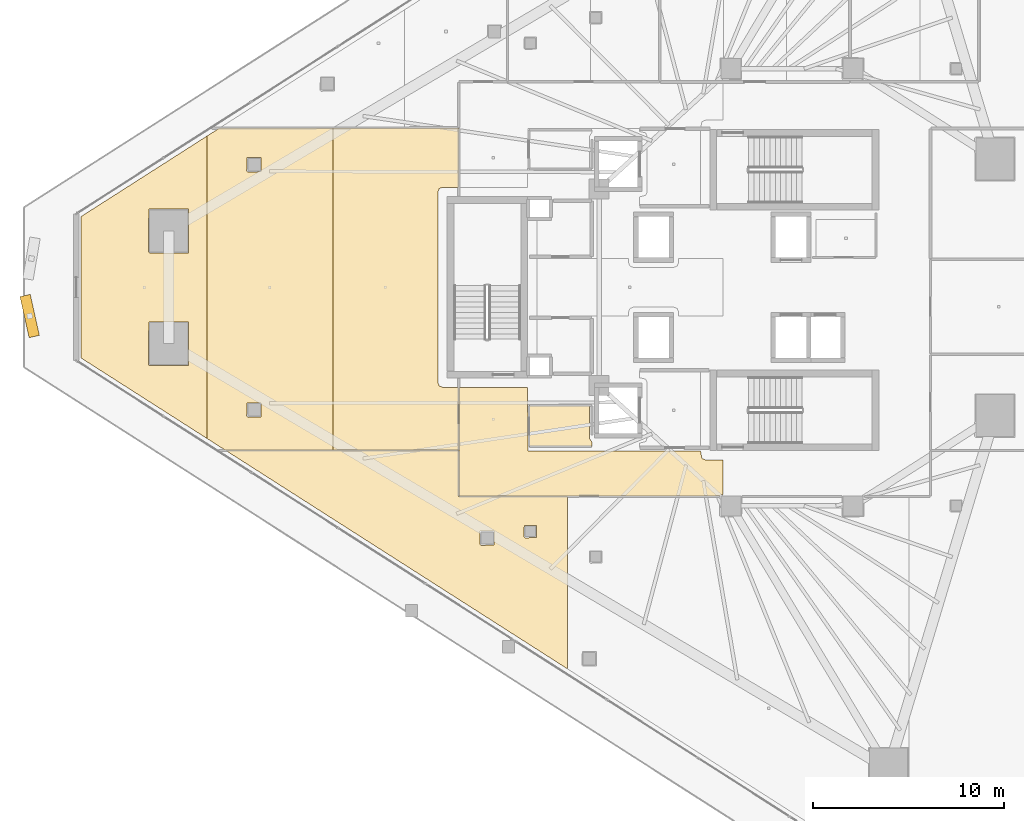
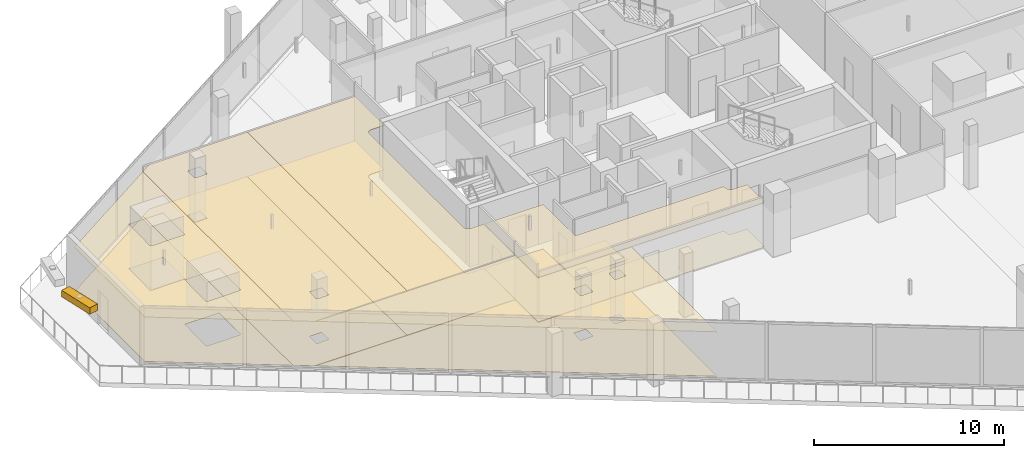
# One storey, part 34 of 42: 11 coverings, 1 shading device.
"""IFC4 building model written with IfcOpenShell, lengths in metres."""

from ifc_helpers import new_model, si_unit, direction, frame, origin, origin_2d, place, context, subcontext, project, spatial, polyline, rectangle, outline, extrude, material, layer, layer_set, type_object, element, save


model = new_model("IFC4")

# Units and contexts
model_context = context("Model", 3, precision=1e-05, world=origin(), true_north=direction((0.0, 1.0)))
body_context = subcontext(model_context, "Body", "Model", "MODEL_VIEW")
ifc_project = project(units=[si_unit("LENGTHUNIT", "METRE"), si_unit("AREAUNIT", "SQUARE_METRE"), si_unit("VOLUMEUNIT", "CUBIC_METRE"), si_unit("PLANEANGLEUNIT", "RADIAN"), si_unit("MASSUNIT", "GRAM", prefix="KILO")], contexts=[model_context])

# Site, building, storey
site_placement = place(None, origin())
site = spatial("IfcSite", under=ifc_project, at=site_placement, CompositionType="ELEMENT")
building_placement = place(site_placement, origin())
building = spatial("IfcBuilding", under=site, at=building_placement, Name="Qorvath Tower", CompositionType="ELEMENT")
storey_placement = place(building_placement, frame((0.0, 0.0, 121.949951171875)))
storey = spatial("IfcBuildingStorey", under=building, at=storey_placement, Name="L27", CompositionType="ELEMENT", Elevation=121.949951171875)

# Coverings
ifc_material_1 = material(Name="Acoustic mineral fibre ceiling tile", Category="gypsum")
ifc_layer_1 = layer(ifc_material_1, 0.030029296875)
ifc_layer_set_1 = layer_set([ifc_layer_1], Name="COV-CEIL")
covering_type_1 = type_object("IfcCoveringType", Name="COV-CEIL", PredefinedType="CEILING", material=ifc_layer_set_1)
covering_1_placement = place(storey_placement, frame((0.0, 0.0, 2.85009765625)))
element("IfcCovering", 1, at=covering_1_placement, inside=storey, type_object=covering_type_1, Name="L27 Suspended Acoustic Ceiling 008", PredefinedType="CEILING", context=body_context, shape_type="SweptSolid", body=[
    extrude(outline(polyline([(-34.22509765625, -8.580078125), (-34.251220703125, -5.239990234375), (-37.844970703125, -5.239990234375), (-37.844970703125, -10.945068359375), (-24.18505859375, -10.945068359375), (-24.125, -10.864990234375), (-24.02001953125, -10.864990234375), (-24.02001953125, -9.0400390625), (-24.93994140625, -9.0400390625), (-25.11669921875, -8.966796875), (-25.18994140625, -8.57421875), (-34.22509765625, -8.580078125)])), origin(), (0.0, 0.0, 1.0), 0.030029296875),
])
covering_2_placement = place(storey_placement, frame((0.0, 0.0, 2.85009765625)))
element("IfcCovering", 2, at=covering_2_placement, inside=storey, type_object=covering_type_1, Name="L27 Suspended Acoustic Ceiling 024", PredefinedType="CEILING", context=body_context, shape_type="SweptSolid", body=[
    extrude(outline(polyline([(-32.165283203125, -19.98681640625), (-32.165283203125, -10.962890625), (-37.85791015625, -10.962890625), (-37.863037109375, -8.554931640625), (-50.052001953125, -8.554931640625), (-32.165283203125, -19.98681640625)]), holes=[polyline([(-34.439208984375, -13.0673828125), (-34.421630859375, -12.47509765625), (-33.786865234375, -12.47509765625), (-33.786865234375, -13.10986328125), (-34.379150390625, -13.12744140625), (-34.439208984375, -13.0673828125)]), polyline([(-36.749755859375, -13.46044921875), (-36.732177734375, -12.76806640625), (-35.997314453125, -12.76806640625), (-35.997314453125, -13.5029296875), (-36.689697265625, -13.5205078125), (-36.749755859375, -13.46044921875)])]), origin(), (0.0, 0.0, 1.0), 0.030029296875),
])
covering_3_placement = place(storey_placement, frame((0.0, 0.0, 2.85009765625)))
element("IfcCovering", 3, at=covering_3_placement, inside=storey, type_object=covering_type_1, Name="L27 Suspended Acoustic Ceiling 034", PredefinedType="CEILING", context=body_context, shape_type="SweptSolid", body=[
    extrude(outline(polyline([(-51.043701171875, -7.921142578125), (-51.043701171875, 7.921142578125), (-57.634033203125, 3.708984375), (-57.634033203125, -3.708984375), (-51.043701171875, -7.921142578125)]), holes=[polyline([(-54.109375, -4.05078125), (-54.091796875, -1.808349609375), (-52.007080078125, -1.808349609375), (-52.007080078125, -4.09326171875), (-54.04931640625, -4.11083984375), (-54.109375, -4.05078125)]), polyline([(-54.109375, 1.850830078125), (-54.091796875, 4.09326171875), (-52.007080078125, 4.09326171875), (-52.007080078125, 1.808349609375), (-54.04931640625, 1.790771484375), (-54.109375, 1.850830078125)])]), origin(), (0.0, 0.0, 1.0), 0.030029296875),
])
covering_4_placement = place(storey_placement, frame((0.0, 0.0, 2.85009765625)))
element("IfcCovering", 4, at=covering_4_placement, inside=storey, type_object=covering_type_1, Name="L27 Suspended Acoustic Ceiling 035", PredefinedType="CEILING", context=body_context, shape_type="SweptSolid", body=[
    extrude(outline(polyline([(-44.453369140625, -8.537109375), (-44.453369140625, 8.334228515625), (-50.401123046875, 8.331787109375), (-51.043701171875, 7.921142578125), (-51.043701171875, -7.921142578125), (-50.080078125, -8.537109375), (-44.453369140625, -8.537109375)]), holes=[polyline([(-48.96337890625, -6.74951171875), (-48.94580078125, -6.05712890625), (-48.2109375, -6.05712890625), (-48.2109375, -6.7919921875), (-48.9033203125, -6.8095703125), (-48.96337890625, -6.74951171875)]), polyline([(-48.96337890625, 6.099609375), (-48.94580078125, 6.7919921875), (-48.2109375, 6.7919921875), (-48.2109375, 6.05712890625), (-48.9033203125, 6.03955078125), (-48.96337890625, 6.099609375)])]), origin(), (0.0, 0.0, 1.0), 0.030029296875),
])
covering_5_placement = place(storey_placement, frame((0.0, 0.0, 2.85009765625)))
element("IfcCovering", 5, at=covering_5_placement, inside=storey, type_object=covering_type_1, Name="L27 Suspended Acoustic Ceiling 036", PredefinedType="CEILING", context=body_context, shape_type="SweptSolid", body=[
    extrude(outline(polyline([(-37.863037109375, 8.3369140625), (-44.453369140625, 8.334228515625), (-44.453369140625, -8.537109375), (-37.863037109375, -8.537109375), (-37.863037109375, -5.239990234375), (-38.699951171875, -5.239990234375), (-38.876708984375, -5.166748046875), (-38.949951171875, -4.989990234375), (-38.949951171875, 4.989990234375), (-38.876708984375, 5.166748046875), (-38.699951171875, 5.239990234375), (-37.863037109375, 5.239990234375), (-37.863037109375, 8.3369140625)])), origin(), (0.0, 0.0, 1.0), 0.030029296875),
])
ifc_material_2 = material(Name="Low-VOC modular carpet tile", Category="textile")
ifc_layer_2 = layer(ifc_material_2, 0.014892578125)
ifc_layer_set_2 = layer_set([ifc_layer_2], Name="COV-FLOOR-CPT")
covering_type_2 = type_object("IfcCoveringType", Name="COV-FLOOR-CPT", PredefinedType="FLOORING", material=ifc_layer_set_2)
covering_6_placement = place(storey_placement, origin())
element("IfcCovering", 6, at=covering_6_placement, inside=storey, type_object=covering_type_2, Name="L27 Floor Finish 024", PredefinedType="FLOORING", context=body_context, shape_type="SweptSolid", body=[
    extrude(outline(polyline([(-32.165283203125, -19.98681640625), (-32.165283203125, -10.962890625), (-37.85791015625, -10.962890625), (-37.863037109375, -8.554931640625), (-50.052001953125, -8.554931640625), (-32.165283203125, -19.98681640625)]), holes=[polyline([(-34.439208984375, -13.0673828125), (-34.421630859375, -12.47509765625), (-33.786865234375, -12.47509765625), (-33.786865234375, -13.10986328125), (-34.379150390625, -13.12744140625), (-34.439208984375, -13.0673828125)]), polyline([(-36.749755859375, -13.46044921875), (-36.732177734375, -12.76806640625), (-35.997314453125, -12.76806640625), (-35.997314453125, -13.5029296875), (-36.689697265625, -13.5205078125), (-36.749755859375, -13.46044921875)])]), origin(), (0.0, 0.0, 1.0), 0.01513671875),
])
covering_7_placement = place(storey_placement, origin())
element("IfcCovering", 7, at=covering_7_placement, inside=storey, type_object=covering_type_2, Name="L27 Floor Finish 034", PredefinedType="FLOORING", context=body_context, shape_type="SweptSolid", body=[
    extrude(outline(polyline([(-51.043701171875, -7.921142578125), (-51.043701171875, 7.921142578125), (-57.634033203125, 3.708984375), (-57.634033203125, -3.708984375), (-51.043701171875, -7.921142578125)]), holes=[polyline([(-54.109375, -4.05078125), (-54.091796875, -1.808349609375), (-52.007080078125, -1.808349609375), (-52.007080078125, -4.09326171875), (-54.04931640625, -4.11083984375), (-54.109375, -4.05078125)]), polyline([(-54.109375, 1.850830078125), (-54.091796875, 4.09326171875), (-52.007080078125, 4.09326171875), (-52.007080078125, 1.808349609375), (-54.04931640625, 1.790771484375), (-54.109375, 1.850830078125)])]), origin(), (0.0, 0.0, 1.0), 0.01513671875),
])
covering_8_placement = place(storey_placement, origin())
element("IfcCovering", 8, at=covering_8_placement, inside=storey, type_object=covering_type_2, Name="L27 Floor Finish 035", PredefinedType="FLOORING", context=body_context, shape_type="SweptSolid", body=[
    extrude(outline(polyline([(-44.453369140625, -8.537109375), (-44.453369140625, 8.334228515625), (-50.401123046875, 8.331787109375), (-51.043701171875, 7.921142578125), (-51.043701171875, -7.921142578125), (-50.080078125, -8.537109375), (-44.453369140625, -8.537109375)]), holes=[polyline([(-48.96337890625, -6.74951171875), (-48.94580078125, -6.05712890625), (-48.2109375, -6.05712890625), (-48.2109375, -6.7919921875), (-48.9033203125, -6.8095703125), (-48.96337890625, -6.74951171875)]), polyline([(-48.96337890625, 6.099609375), (-48.94580078125, 6.7919921875), (-48.2109375, 6.7919921875), (-48.2109375, 6.05712890625), (-48.9033203125, 6.03955078125), (-48.96337890625, 6.099609375)])]), origin(), (0.0, 0.0, 1.0), 0.01513671875),
])
covering_9_placement = place(storey_placement, origin())
element("IfcCovering", 9, at=covering_9_placement, inside=storey, type_object=covering_type_2, Name="L27 Floor Finish 036", PredefinedType="FLOORING", context=body_context, shape_type="SweptSolid", body=[
    extrude(outline(polyline([(-37.863037109375, 8.3369140625), (-44.453369140625, 8.334228515625), (-44.453369140625, -8.537109375), (-37.863037109375, -8.537109375), (-37.863037109375, -5.239990234375), (-38.699951171875, -5.239990234375), (-38.876708984375, -5.166748046875), (-38.949951171875, -4.989990234375), (-38.949951171875, 4.989990234375), (-38.876708984375, 5.166748046875), (-38.699951171875, 5.239990234375), (-37.863037109375, 5.239990234375), (-37.863037109375, 8.3369140625)])), origin(), (0.0, 0.0, 1.0), 0.01513671875),
])
ifc_material_3 = material(Name="Polished epoxy terrazzo flooring", Category="concrete")
ifc_layer_3 = layer(ifc_material_3, 0.02001953125)
ifc_layer_set_3 = layer_set([ifc_layer_3], Name="COV-FLOOR-TRZ")
covering_type_3 = type_object("IfcCoveringType", Name="COV-FLOOR-TRZ", PredefinedType="FLOORING", material=ifc_layer_set_3)
covering_10_placement = place(storey_placement, origin())
element("IfcCovering", 10, at=covering_10_placement, inside=storey, type_object=covering_type_3, Name="L27 Floor Finish 006", PredefinedType="FLOORING", context=body_context, shape_type="SweptSolid", body=[
    extrude(outline(polyline([(-30.885009765625, -8.344970703125), (-30.885009765625, -8.108154296875), (-31.010009765625, -7.909912109375), (-31.010009765625, -6.205078125), (-34.175048828125, -6.205078125), (-34.175048828125, -8.344970703125), (-30.885009765625, -8.344970703125)])), origin(), (0.0, 0.0, 1.0), 0.01513671875),
])
covering_11_placement = place(storey_placement, origin())
element("IfcCovering", 11, at=covering_11_placement, inside=storey, type_object=covering_type_3, Name="L27 Floor Finish 008", PredefinedType="FLOORING", context=body_context, shape_type="SweptSolid", body=[
    extrude(outline(polyline([(-34.22509765625, -8.580078125), (-34.251220703125, -5.239990234375), (-37.844970703125, -5.239990234375), (-37.844970703125, -10.945068359375), (-24.18505859375, -10.945068359375), (-24.125, -10.864990234375), (-24.02001953125, -10.864990234375), (-24.02001953125, -9.0400390625), (-24.93994140625, -9.0400390625), (-25.11669921875, -8.966796875), (-25.18994140625, -8.57421875), (-34.22509765625, -8.580078125)])), origin(), (0.0, 0.0, 1.0), 0.01513671875),
])

# Shading device
ifc_material_4 = material(Name="Anodised bronze-champagne aluminium", Category="aluminium")
shading_device_type = type_object("IfcShadingDeviceType", Name="SD-LOUVRE", PredefinedType="JALOUSIE", material=ifc_material_4)
shading_device_placement = place(storey_placement, frame((-60.33251953125, -1.505615234375, 3.35009765625), z_axis=(0.0, 0.0, 1.0), x_axis=(0.217371580175, -0.976088928393, 0.0)))
element("IfcShadingDevice", 12, at=shading_device_placement, inside=storey, type_object=shading_device_type, Name="Sinusoidal Wave Louvre Blade L27-02", PredefinedType="NOTDEFINED", context=body_context, shape_type="SweptSolid", body=[
    extrude(rectangle(XDim=2.199951171875, YDim=0.550048828125, at=origin_2d()), origin(), (0.0, 0.0, 1.0), 0.419921875),
])

save(model, "model.ifc")
